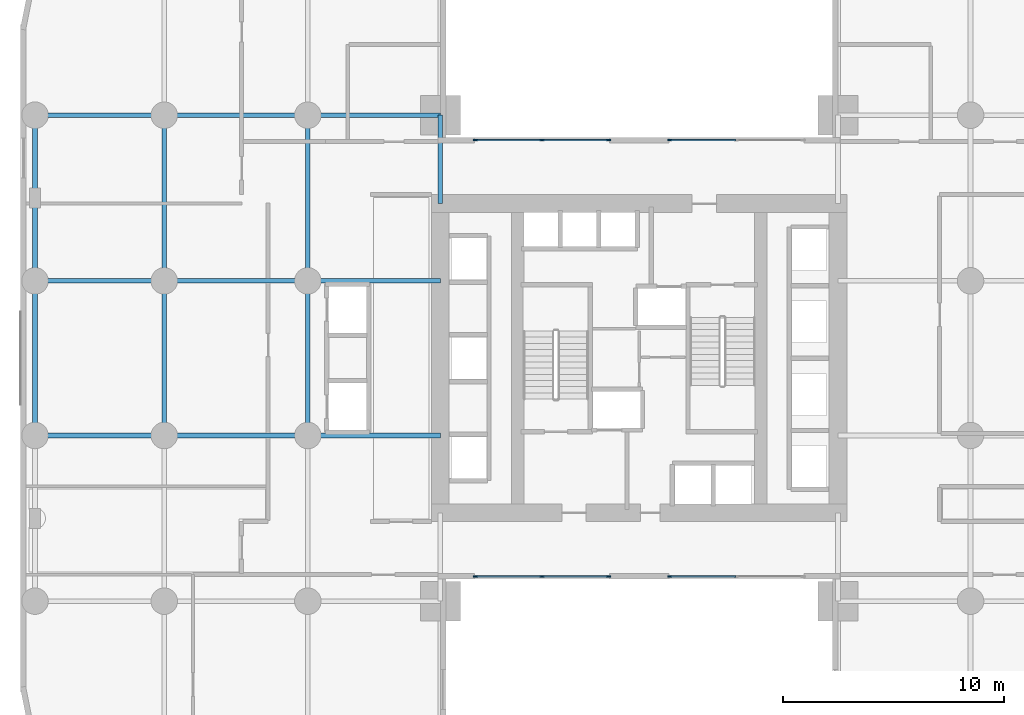
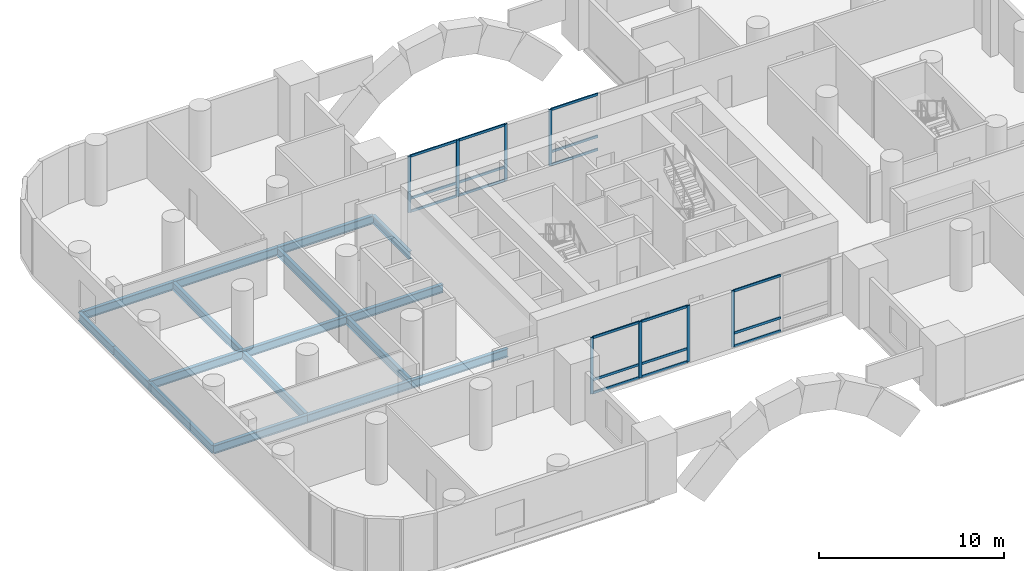
# One storey, part 2 of 9: 26 members, 17 beams, 4 elements without a shape of their own.
"""IFC4 building model written with IfcOpenShell, lengths in metres."""

import ifcopenshell
import ifcopenshell.guid

model = None  # the IFC model being written
_history = None  # IfcOwnerHistory: only IFC2X3 demands one
_inside = {}  # id of a spatial element -> (the spatial element, [elements in it])
_under = {}  # id of a project, library or spatial element -> (it, [spatial elements below it])
_declared = {}  # id of a project -> (the project, [libraries it declares])
_typed = {}  # id of a type object -> (the type object, [elements of that type])
_made_of = {}  # id of a material, layer set ... -> (it, [elements and type objects made of it])


def new_model(schema):
    """Start an empty IFC model of exactly this schema.

    Asked for "IFC4X3", IfcOpenShell would pick the latest addendum, in which some entities
    have other attributes; the version numbers below select the first issue.
    IFC2X3 requires an IfcOwnerHistory on every rooted entity: one is made here for all.
    """
    global model, _history
    if schema == "IFC4X3":
        model = ifcopenshell.file(schema_version=(4, 3, 0, 0))
    else:
        model = ifcopenshell.file(schema=schema)
    _inside.clear()
    _under.clear()
    _declared.clear()
    _typed.clear()
    _made_of.clear()
    _history = None
    if model.schema == "IFC2X3":
        org = make("IfcOrganization", Name="unknown")
        user = make(
            "IfcPersonAndOrganization",
            ThePerson=make("IfcPerson", FamilyName="unknown"),
            TheOrganization=org,
        )
        app = make(
            "IfcApplication",
            ApplicationDeveloper=org,
            Version="unknown",
            ApplicationFullName="unknown",
            ApplicationIdentifier="unknown",
        )
        _history = make(
            "IfcOwnerHistory",
            OwningUser=user,
            OwningApplication=app,
            ChangeAction="ADDED",
            CreationDate=0,
        )
    return model


def make(cls, **values):
    """One entity of the class cls with the attributes given. An attribute that is None is left unset."""
    return model.create_entity(
        cls, **{name: value for name, value in values.items() if value is not None}
    )


def rooted(cls, **values):
    """An entity with a GlobalId (a new one), such as an element, a storey or a relation."""
    return make(cls, GlobalId=ifcopenshell.guid.new(), OwnerHistory=_history, **values)


def si_unit(unit_type, name, prefix=None):
    """IfcSIUnit, for example si_unit("LENGTHUNIT", "METRE", prefix="MILLI")."""
    return make("IfcSIUnit", UnitType=unit_type, Prefix=prefix, Name=name)


def assignment(units):
    """IfcUnitAssignment: the units of a project."""
    return None if units is None else make("IfcUnitAssignment", Units=units)


def point(xyz):
    """IfcCartesianPoint."""
    return None if xyz is None else make("IfcCartesianPoint", Coordinates=xyz)


def direction(xyz):
    """IfcDirection."""
    return None if xyz is None else make("IfcDirection", DirectionRatios=xyz)


def frame(location, z_axis=None, x_axis=None):
    """IfcAxis2Placement3D, a coordinate frame: its origin and axes. An axis left out is left unset."""
    return make(
        "IfcAxis2Placement3D",
        Location=point(location),
        Axis=direction(z_axis),
        RefDirection=direction(x_axis),
    )


def frame_2d(location, x_axis=None):
    """IfcAxis2Placement2D, a coordinate frame in the plane: its origin and x axis."""
    return make(
        "IfcAxis2Placement2D", Location=point(location), RefDirection=direction(x_axis)
    )


def origin():
    """The frame at (0, 0, 0) with its axes left unset."""
    return frame((0.0, 0.0, 0.0))


def origin_2d():
    """The frame at (0, 0) in the plane with its x axis left unset."""
    return frame_2d((0.0, 0.0))


def place(relative_to, where):
    """IfcLocalPlacement: puts the frame where relative to a parent placement (None: the world)."""
    return make(
        "IfcLocalPlacement", PlacementRelTo=relative_to, RelativePlacement=where
    )


def context(
    kind, dimensions, precision=None, world=None, true_north=None, identifier=None
):
    """IfcGeometricRepresentationContext, for example the 3D "Model" context."""
    return make(
        "IfcGeometricRepresentationContext",
        ContextIdentifier=identifier,
        ContextType=kind,
        CoordinateSpaceDimension=dimensions,
        Precision=precision,
        WorldCoordinateSystem=world,
        TrueNorth=true_north,
    )


def subcontext(parent, identifier, kind, view, scale=None):
    """IfcGeometricRepresentationSubContext, for example "Body" below "Model"."""
    return make(
        "IfcGeometricRepresentationSubContext",
        ContextIdentifier=identifier,
        ContextType=kind,
        ParentContext=parent,
        TargetScale=scale,
        TargetView=view,
    )


def project(units=None, contexts=None):
    """IfcProject with its units and contexts."""
    return rooted(
        "IfcProject",
        Name="project",
        RepresentationContexts=contexts,
        UnitsInContext=assignment(units),
    )


def spatial(cls, under=None, at=None, **own):
    """A site, building, storey or space (cls), placed at a placement, below another one or the project."""
    s = rooted(cls, ObjectPlacement=at, **own)
    if under is not None:
        _under.setdefault(under.id(), (under, []))[1].append(s)
    return s


def profile(cls, at=None, kind="AREA", **sizes):
    """A parametric profile (cls). Its sizes go by their IFC names, for example OverallWidth=200.0."""
    return make(cls, ProfileType=kind, Position=at, **sizes)


def rectangle(**sizes):
    """IfcRectangleProfileDef."""
    return profile("IfcRectangleProfileDef", **sizes)


def i_section(**sizes):
    """IfcIShapeProfileDef."""
    return profile("IfcIShapeProfileDef", **sizes)


def extrude(swept, where, along, depth):
    """IfcExtrudedAreaSolid: the profile swept, set in the frame where, extruded along a direction by depth."""
    return make(
        "IfcExtrudedAreaSolid",
        SweptArea=swept,
        Position=where,
        ExtrudedDirection=direction(along),
        Depth=depth,
    )


def shape(context_of_items, identifier, shape_type, items):
    """IfcShapeRepresentation: the items that make up one representation, for example the "Body"."""
    return make(
        "IfcShapeRepresentation",
        ContextOfItems=context_of_items,
        RepresentationIdentifier=identifier,
        RepresentationType=shape_type,
        Items=items,
    )


def material(Name=None, Category=None):
    """IfcMaterial."""
    return make("IfcMaterial", Name=Name, Category=Category)


def material_profile(
    of_material, cross_section, Name=None, Category=None, Priority=None
):
    """IfcMaterialProfile: a cross section and its material."""
    return make(
        "IfcMaterialProfile",
        Name=Name,
        Material=of_material,
        Profile=cross_section,
        Priority=Priority,
        Category=Category,
    )


def profile_set(profiles, Name=None, composite=None):
    """IfcMaterialProfileSet."""
    return make(
        "IfcMaterialProfileSet",
        Name=Name,
        MaterialProfiles=profiles,
        CompositeProfile=composite,
    )


def made_of(thing, what):
    """Note that an element or type object is made of a material, layer set ...; save() writes the relation."""
    if what is not None:
        _made_of.setdefault(what.id(), (what, []))[1].append(thing)
    return thing


def type_object(cls, material=None, **own):
    """A type object (cls), such as IfcWallType, which elements share."""
    return made_of(rooted(cls, **own), material)


def element(
    cls,
    number,
    at=None,
    inside=None,
    cuts=None,
    type_object=None,
    material=None,
    context=None,
    identifier="Body",
    shape_type=None,
    held_by="IfcProductDefinitionShape",
    body=None,
    shapes=None,
    **own,
):
    """One element of the class cls, such as IfcWall. Its Tag is "e" and its number.

    at: its placement. inside: the storey or other place that contains it. cuts: it is an
    opening in that element (IfcRelVoidsElement). A single representation is given by context,
    identifier, shape_type and body (its items); several are given by shapes. held_by: the class
    of the entity that holds the representations. save() writes the other relations.
    """
    e = rooted(cls, Tag="e%d" % number, ObjectPlacement=at, **own)
    if body is not None:
        shapes = [shape(context, identifier, shape_type, body)]
    if shapes is not None:
        e.Representation = make(held_by, Representations=shapes)
    if inside is not None:
        _inside.setdefault(inside.id(), (inside, []))[1].append(e)
    if cuts is not None:
        rooted(
            "IfcRelVoidsElement", RelatingBuildingElement=cuts, RelatedOpeningElement=e
        )
    if type_object is not None:
        _typed.setdefault(type_object.id(), (type_object, []))[1].append(e)
    return made_of(e, material)


def aggregate(whole, parts):
    """IfcRelAggregates: a whole, such as a stair, and the parts it consists of."""
    return rooted("IfcRelAggregates", RelatingObject=whole, RelatedObjects=parts)


def save(model, path):
    """Write the relations noted so far, then the file.

    IfcRelAggregates (storeys below a building ...), IfcRelContainedInSpatialStructure (elements
    in a storey), IfcRelDefinesByType, IfcRelAssociatesMaterial and IfcRelDeclares: one each for
    every whole, place, type object, material and project.
    """
    for whole, parts in _under.values():
        aggregate(whole, parts)
    for where, things in _inside.values():
        rooted(
            "IfcRelContainedInSpatialStructure",
            RelatedElements=things,
            RelatingStructure=where,
        )
    for kind, things in _typed.values():
        rooted("IfcRelDefinesByType", RelatedObjects=things, RelatingType=kind)
    for what, things in _made_of.values():
        rooted("IfcRelAssociatesMaterial", RelatedObjects=things, RelatingMaterial=what)
    for by, libraries in _declared.values():
        rooted("IfcRelDeclares", RelatingContext=by, RelatedDefinitions=libraries)
    model.write(path)


model = new_model("IFC4")

# Units and contexts
model_context = context("Model", 3, precision=1e-05, world=origin(), true_north=direction((0.0, 1.0)))
body_context = subcontext(model_context, "Body", "Model", "MODEL_VIEW")
ifc_project = project(units=[si_unit("LENGTHUNIT", "METRE"), si_unit("AREAUNIT", "SQUARE_METRE"), si_unit("VOLUMEUNIT", "CUBIC_METRE"), si_unit("PLANEANGLEUNIT", "RADIAN"), si_unit("MASSUNIT", "GRAM", prefix="KILO")], contexts=[model_context])

# Site, building, storey
site_placement = place(None, origin())
site = spatial("IfcSite", under=ifc_project, at=site_placement, CompositionType="ELEMENT")
building_placement = place(site_placement, origin())
building = spatial("IfcBuilding", under=site, at=building_placement, Name="Veldorim Arch Residences", CompositionType="ELEMENT")
storey_placement = place(building_placement, frame((0.0, 0.0, 8.0)))
storey = spatial("IfcBuildingStorey", under=building, at=storey_placement, Name="L02", CompositionType="ELEMENT", Elevation=8.0)

# Curtain wall, member
ifc_material_1 = material(Name="Aluminium", Category="aluminium")
curtain_wall_type = type_object("IfcCurtainWallType", Name="Podium Clinic Double-Glazed Curtain Wall", PredefinedType="NOTDEFINED", material=ifc_material_1)
curtain_wall_1_placement = place(storey_placement, origin())
curtain_wall_1 = element("IfcCurtainWall", 1, at=curtain_wall_1_placement, inside=storey, type_object=curtain_wall_type, Name="L02 polyclinic curtain wall 11-1", PredefinedType="NOTDEFINED")
ifc_material_2 = material(Name="Aluminium", Category="aluminium")
ifc_material_profile_1 = material_profile(ifc_material_2, rectangle(XDim=0.074951171875, YDim=0.18994140625, at=origin_2d()), Name="ALU_MUL_75x190")
ifc_profile_set_1 = profile_set([ifc_material_profile_1], Name="Aluminium")
member_type_1 = type_object("IfcMemberType", Name="Podium Clinic Double-Glazed Curtain Wall Mullion 75x190", PredefinedType="MULLION", material=ifc_profile_set_1)
member_1_placement = place(storey_placement, frame((33.387451171875, 14.125, 0.0), z_axis=(0.0, 0.0, 1.0), x_axis=(0.0, -1.0, 0.0)))
member_1 = element("IfcMember", 2, at=member_1_placement, type_object=member_type_1, Name="CW-POD mullion 3", PredefinedType="MULLION", context=body_context, shape_type="SweptSolid", body=[
    extrude(rectangle(XDim=0.074951171875, YDim=0.18994140625, at=origin_2d()), origin(), (0.0, 0.0, 1.0), 3.719970703125),
])

# Curtain wall, members
curtain_wall_2_placement = place(storey_placement, origin())
curtain_wall_2 = element("IfcCurtainWall", 3, at=curtain_wall_2_placement, inside=storey, type_object=curtain_wall_type, Name="L02 polyclinic curtain wall 11-2", PredefinedType="NOTDEFINED")
member_2_placement = place(storey_placement, frame((30.612548828125, 14.125, 0.0), z_axis=(0.0, 0.0, 1.0), x_axis=(0.0, -1.0, 0.0)))
member_2 = element("IfcMember", 4, at=member_2_placement, type_object=member_type_1, Name="CW-POD mullion 1", PredefinedType="MULLION", context=body_context, shape_type="SweptSolid", body=[
    extrude(rectangle(XDim=0.074951171875, YDim=0.18994140625, at=origin_2d()), origin(), (0.0, 0.0, 1.0), 3.719970703125),
])
member_3_placement = place(storey_placement, frame((27.60009765625, 14.125, 0.0), z_axis=(0.0, 0.0, 1.0), x_axis=(0.0, -1.0, 0.0)))
member_3 = element("IfcMember", 5, at=member_3_placement, type_object=member_type_1, Name="CW-POD mullion 2", PredefinedType="MULLION", context=body_context, shape_type="SweptSolid", body=[
    extrude(rectangle(XDim=0.074951171875, YDim=0.18994140625, at=origin_2d()), origin(), (0.0, 0.0, 1.0), 3.719970703125),
])
member_4_placement = place(storey_placement, frame((24.58740234375, 14.125, 0.0), z_axis=(0.0, 0.0, 1.0), x_axis=(0.0, -1.0, 0.0)))
member_4 = element("IfcMember", 6, at=member_4_placement, type_object=member_type_1, Name="CW-POD mullion 3", PredefinedType="MULLION", context=body_context, shape_type="SweptSolid", body=[
    extrude(rectangle(XDim=0.074951171875, YDim=0.18994140625, at=origin_2d()), origin(), (0.0, 0.0, 1.0), 3.719970703125),
])

curtain_wall_3_placement = place(storey_placement, origin())
curtain_wall_3 = element("IfcCurtainWall", 7, at=curtain_wall_3_placement, inside=storey, type_object=curtain_wall_type, Name="L02 polyclinic curtain wall 25-1", PredefinedType="NOTDEFINED")
member_5_placement = place(storey_placement, frame((24.58740234375, 33.875, 0.0), z_axis=(0.0, 0.0, 1.0), x_axis=(0.0, 1.0, 0.0)))
member_5 = element("IfcMember", 8, at=member_5_placement, type_object=member_type_1, Name="CW-POD mullion 1", PredefinedType="MULLION", context=body_context, shape_type="SweptSolid", body=[
    extrude(rectangle(XDim=0.074951171875, YDim=0.18994140625, at=origin_2d()), origin(), (0.0, 0.0, 1.0), 3.719970703125),
])
member_6_placement = place(storey_placement, frame((27.60009765625, 33.875, 0.0), z_axis=(0.0, 0.0, 1.0), x_axis=(0.0, 1.0, 0.0)))
member_6 = element("IfcMember", 9, at=member_6_placement, type_object=member_type_1, Name="CW-POD mullion 2", PredefinedType="MULLION", context=body_context, shape_type="SweptSolid", body=[
    extrude(rectangle(XDim=0.074951171875, YDim=0.18994140625, at=origin_2d()), origin(), (0.0, 0.0, 1.0), 3.719970703125),
])
member_7_placement = place(storey_placement, frame((30.612548828125, 33.875, 0.0), z_axis=(0.0, 0.0, 1.0), x_axis=(0.0, 1.0, 0.0)))
member_7 = element("IfcMember", 10, at=member_7_placement, type_object=member_type_1, Name="CW-POD mullion 3", PredefinedType="MULLION", context=body_context, shape_type="SweptSolid", body=[
    extrude(rectangle(XDim=0.074951171875, YDim=0.18994140625, at=origin_2d()), origin(), (0.0, 0.0, 1.0), 3.719970703125),
])

# Curtain wall, member
curtain_wall_4_placement = place(storey_placement, origin())
curtain_wall_4 = element("IfcCurtainWall", 11, at=curtain_wall_4_placement, inside=storey, type_object=curtain_wall_type, Name="L02 polyclinic curtain wall 25-2", PredefinedType="NOTDEFINED")
member_8_placement = place(storey_placement, frame((33.387451171875, 33.875, 0.0), z_axis=(0.0, 0.0, 1.0), x_axis=(0.0, 1.0, 0.0)))
member_8 = element("IfcMember", 12, at=member_8_placement, type_object=member_type_1, Name="CW-POD mullion 1", PredefinedType="MULLION", context=body_context, shape_type="SweptSolid", body=[
    extrude(rectangle(XDim=0.074951171875, YDim=0.18994140625, at=origin_2d()), origin(), (0.0, 0.0, 1.0), 3.719970703125),
])

# Member
ifc_material_3 = material(Name="Aluminium", Category="aluminium")
ifc_material_profile_2 = material_profile(ifc_material_3, rectangle(XDim=0.074951171875, YDim=0.159912109375, at=origin_2d()), Name="ALU_TRN_75x160")
ifc_profile_set_2 = profile_set([ifc_material_profile_2], Name="Aluminium")
member_type_2 = type_object("IfcMemberType", Name="Podium Clinic Double-Glazed Curtain Wall Transom 75x160", PredefinedType="USERDEFINED", material=ifc_profile_set_2)
member_9_placement = place(storey_placement, frame((36.362548828125, 14.125, 0.03759765625), z_axis=(-1.0, 0.0, 0.0), x_axis=(0.0, -1.0, 0.0)))
member_9 = element("IfcMember", 13, at=member_9_placement, type_object=member_type_2, Name="CW-POD transom 2.1", ObjectType="TRANSOM", PredefinedType="USERDEFINED", context=body_context, shape_type="SweptSolid", body=[
    extrude(rectangle(XDim=0.074951171875, YDim=0.159912109375, at=origin_2d()), origin(), (0.0, 0.0, 1.0), 2.9375),
])

member_10_placement = place(storey_placement, frame((36.362548828125, 14.125, 0.89990234375), z_axis=(-1.0, 0.0, 0.0), x_axis=(0.0, -1.0, 0.0)))
member_10 = element("IfcMember", 14, at=member_10_placement, type_object=member_type_2, Name="CW-POD transom 2.2", ObjectType="TRANSOM", PredefinedType="USERDEFINED", context=body_context, shape_type="SweptSolid", body=[
    extrude(rectangle(XDim=0.074951171875, YDim=0.159912109375, at=origin_2d()), origin(), (0.0, 0.0, 1.0), 2.9375),
])

member_11_placement = place(storey_placement, frame((36.362548828125, 14.125, 3.6826171875), z_axis=(-1.0, 0.0, 0.0), x_axis=(0.0, -1.0, 0.0)))
member_11 = element("IfcMember", 15, at=member_11_placement, type_object=member_type_2, Name="CW-POD transom 2.3", ObjectType="TRANSOM", PredefinedType="USERDEFINED", context=body_context, shape_type="SweptSolid", body=[
    extrude(rectangle(XDim=0.074951171875, YDim=0.159912109375, at=origin_2d()), origin(), (0.0, 0.0, 1.0), 2.9375),
])

aggregate(curtain_wall_1, [member_1, member_9, member_10, member_11])

member_12_placement = place(storey_placement, frame((30.574951171875, 14.125, 0.03759765625), z_axis=(-1.0, 0.0, 0.0), x_axis=(0.0, -1.0, 0.0)))
member_12 = element("IfcMember", 16, at=member_12_placement, type_object=member_type_2, Name="CW-POD transom 1.1", ObjectType="TRANSOM", PredefinedType="USERDEFINED", context=body_context, shape_type="SweptSolid", body=[
    extrude(rectangle(XDim=0.074951171875, YDim=0.159912109375, at=origin_2d()), origin(), (0.0, 0.0, 1.0), 2.9375),
])

member_13_placement = place(storey_placement, frame((30.574951171875, 14.125, 0.89990234375), z_axis=(-1.0, 0.0, 0.0), x_axis=(0.0, -1.0, 0.0)))
member_13 = element("IfcMember", 17, at=member_13_placement, type_object=member_type_2, Name="CW-POD transom 1.2", ObjectType="TRANSOM", PredefinedType="USERDEFINED", context=body_context, shape_type="SweptSolid", body=[
    extrude(rectangle(XDim=0.074951171875, YDim=0.159912109375, at=origin_2d()), origin(), (0.0, 0.0, 1.0), 2.9375),
])

member_14_placement = place(storey_placement, frame((30.574951171875, 14.125, 3.6826171875), z_axis=(-1.0, 0.0, 0.0), x_axis=(0.0, -1.0, 0.0)))
member_14 = element("IfcMember", 18, at=member_14_placement, type_object=member_type_2, Name="CW-POD transom 1.3", ObjectType="TRANSOM", PredefinedType="USERDEFINED", context=body_context, shape_type="SweptSolid", body=[
    extrude(rectangle(XDim=0.074951171875, YDim=0.159912109375, at=origin_2d()), origin(), (0.0, 0.0, 1.0), 2.9375),
])

member_15_placement = place(storey_placement, frame((27.5625, 14.125, 0.03759765625), z_axis=(-1.0, 0.0, 0.0), x_axis=(0.0, -1.0, 0.0)))
member_15 = element("IfcMember", 19, at=member_15_placement, type_object=member_type_2, Name="CW-POD transom 2.1", ObjectType="TRANSOM", PredefinedType="USERDEFINED", context=body_context, shape_type="SweptSolid", body=[
    extrude(rectangle(XDim=0.074951171875, YDim=0.159912109375, at=origin_2d()), origin(), (0.0, 0.0, 1.0), 2.9375),
])

member_16_placement = place(storey_placement, frame((27.5625, 14.125, 0.89990234375), z_axis=(-1.0, 0.0, 0.0), x_axis=(0.0, -1.0, 0.0)))
member_16 = element("IfcMember", 20, at=member_16_placement, type_object=member_type_2, Name="CW-POD transom 2.2", ObjectType="TRANSOM", PredefinedType="USERDEFINED", context=body_context, shape_type="SweptSolid", body=[
    extrude(rectangle(XDim=0.074951171875, YDim=0.159912109375, at=origin_2d()), origin(), (0.0, 0.0, 1.0), 2.9375),
])

member_17_placement = place(storey_placement, frame((27.5625, 14.125, 3.6826171875), z_axis=(-1.0, 0.0, 0.0), x_axis=(0.0, -1.0, 0.0)))
member_17 = element("IfcMember", 21, at=member_17_placement, type_object=member_type_2, Name="CW-POD transom 2.3", ObjectType="TRANSOM", PredefinedType="USERDEFINED", context=body_context, shape_type="SweptSolid", body=[
    extrude(rectangle(XDim=0.074951171875, YDim=0.159912109375, at=origin_2d()), origin(), (0.0, 0.0, 1.0), 2.9375),
])

aggregate(curtain_wall_2, [member_2, member_3, member_4, member_12, member_13, member_14, member_15, member_16, member_17])

member_18_placement = place(storey_placement, frame((24.625, 33.875, 0.03759765625), z_axis=(1.0, 0.0, 0.0), x_axis=(0.0, 1.0, 0.0)))
member_18 = element("IfcMember", 22, at=member_18_placement, type_object=member_type_2, Name="CW-POD transom 1.1", ObjectType="TRANSOM", PredefinedType="USERDEFINED", context=body_context, shape_type="SweptSolid", body=[
    extrude(rectangle(XDim=0.074951171875, YDim=0.159912109375, at=origin_2d()), origin(), (0.0, 0.0, 1.0), 2.9375),
])

member_19_placement = place(storey_placement, frame((24.625, 33.875, 0.89990234375), z_axis=(1.0, 0.0, 0.0), x_axis=(0.0, 1.0, 0.0)))
member_19 = element("IfcMember", 23, at=member_19_placement, type_object=member_type_2, Name="CW-POD transom 1.2", ObjectType="TRANSOM", PredefinedType="USERDEFINED", context=body_context, shape_type="SweptSolid", body=[
    extrude(rectangle(XDim=0.074951171875, YDim=0.159912109375, at=origin_2d()), origin(), (0.0, 0.0, 1.0), 2.9375),
])

member_20_placement = place(storey_placement, frame((24.625, 33.875, 3.6826171875), z_axis=(1.0, 0.0, 0.0), x_axis=(0.0, 1.0, 0.0)))
member_20 = element("IfcMember", 24, at=member_20_placement, type_object=member_type_2, Name="CW-POD transom 1.3", ObjectType="TRANSOM", PredefinedType="USERDEFINED", context=body_context, shape_type="SweptSolid", body=[
    extrude(rectangle(XDim=0.074951171875, YDim=0.159912109375, at=origin_2d()), origin(), (0.0, 0.0, 1.0), 2.9375),
])

member_21_placement = place(storey_placement, frame((27.637451171875, 33.875, 0.03759765625), z_axis=(1.0, 0.0, 0.0), x_axis=(0.0, 1.0, 0.0)))
member_21 = element("IfcMember", 25, at=member_21_placement, type_object=member_type_2, Name="CW-POD transom 2.1", ObjectType="TRANSOM", PredefinedType="USERDEFINED", context=body_context, shape_type="SweptSolid", body=[
    extrude(rectangle(XDim=0.074951171875, YDim=0.159912109375, at=origin_2d()), origin(), (0.0, 0.0, 1.0), 2.9375),
])

member_22_placement = place(storey_placement, frame((27.637451171875, 33.875, 0.89990234375), z_axis=(1.0, 0.0, 0.0), x_axis=(0.0, 1.0, 0.0)))
member_22 = element("IfcMember", 26, at=member_22_placement, type_object=member_type_2, Name="CW-POD transom 2.2", ObjectType="TRANSOM", PredefinedType="USERDEFINED", context=body_context, shape_type="SweptSolid", body=[
    extrude(rectangle(XDim=0.074951171875, YDim=0.159912109375, at=origin_2d()), origin(), (0.0, 0.0, 1.0), 2.9375),
])

member_23_placement = place(storey_placement, frame((27.637451171875, 33.875, 3.6826171875), z_axis=(1.0, 0.0, 0.0), x_axis=(0.0, 1.0, 0.0)))
member_23 = element("IfcMember", 27, at=member_23_placement, type_object=member_type_2, Name="CW-POD transom 2.3", ObjectType="TRANSOM", PredefinedType="USERDEFINED", context=body_context, shape_type="SweptSolid", body=[
    extrude(rectangle(XDim=0.074951171875, YDim=0.159912109375, at=origin_2d()), origin(), (0.0, 0.0, 1.0), 2.9375),
])

aggregate(curtain_wall_3, [member_5, member_6, member_7, member_18, member_19, member_20, member_21, member_22, member_23])

member_24_placement = place(storey_placement, frame((33.425048828125, 33.875, 0.03759765625), z_axis=(1.0, 0.0, 0.0), x_axis=(0.0, 1.0, 0.0)))
member_24 = element("IfcMember", 28, at=member_24_placement, type_object=member_type_2, Name="CW-POD transom 1.1", ObjectType="TRANSOM", PredefinedType="USERDEFINED", context=body_context, shape_type="SweptSolid", body=[
    extrude(rectangle(XDim=0.074951171875, YDim=0.159912109375, at=origin_2d()), origin(), (0.0, 0.0, 1.0), 2.9375),
])

member_25_placement = place(storey_placement, frame((33.425048828125, 33.875, 0.89990234375), z_axis=(1.0, 0.0, 0.0), x_axis=(0.0, 1.0, 0.0)))
member_25 = element("IfcMember", 29, at=member_25_placement, type_object=member_type_2, Name="CW-POD transom 1.2", ObjectType="TRANSOM", PredefinedType="USERDEFINED", context=body_context, shape_type="SweptSolid", body=[
    extrude(rectangle(XDim=0.074951171875, YDim=0.159912109375, at=origin_2d()), origin(), (0.0, 0.0, 1.0), 2.9375),
])

member_26_placement = place(storey_placement, frame((33.425048828125, 33.875, 3.6826171875), z_axis=(1.0, 0.0, 0.0), x_axis=(0.0, 1.0, 0.0)))
member_26 = element("IfcMember", 30, at=member_26_placement, type_object=member_type_2, Name="CW-POD transom 1.3", ObjectType="TRANSOM", PredefinedType="USERDEFINED", context=body_context, shape_type="SweptSolid", body=[
    extrude(rectangle(XDim=0.074951171875, YDim=0.159912109375, at=origin_2d()), origin(), (0.0, 0.0, 1.0), 2.9375),
])

aggregate(curtain_wall_4, [member_8, member_24, member_25, member_26])

# Beams
ifc_material_4 = material(Name="Steel S355", Category="steel")
ifc_material_profile_3 = material_profile(ifc_material_4, i_section(OverallWidth=0.2099609375, OverallDepth=0.53662109375, WebThickness=0.0107421875, FlangeThickness=0.017333984375, at=origin_2d()), Name="UB533x210x101")
ifc_profile_set_3 = profile_set([ifc_material_profile_3], Name="Steel S355")
beam_type_1 = type_object("IfcBeamType", Name="Structural Steel Beam UB533x210x101", PredefinedType="BEAM", material=ifc_profile_set_3)
beam_1_placement = place(storey_placement, frame((4.64990234375, 20.5, -0.54833984375), z_axis=(0.0, 1.0, 0.0), x_axis=(-1.0, 0.0, 0.0)))
element("IfcBeam", 31, at=beam_1_placement, inside=storey, type_object=beam_type_1, Name="L02 north-south floor beam (X=4.7, 20.5-27.5)", PredefinedType="BEAM", context=body_context, shape_type="SweptSolid", body=[
    extrude(i_section(OverallWidth=0.2099609375, OverallDepth=0.53662109375, WebThickness=0.0107421875, FlangeThickness=0.017333984375, at=origin_2d()), origin(), (0.0, 0.0, 1.0), 7.0),
])
for number, where, z_axis, x_axis, name in (
    (32, (4.64990234375, 27.5, -0.54833984375), (0.0, 1.0, 0.0), (-1.0, 0.0, 0.0), "L02 north-south floor beam (X=4.7, 27.5-31.2)"),
    (33, (4.64990234375, 31.25, -0.54833984375), (0.0, 1.0, 0.0), (-1.0, 0.0, 0.0), "L02 north-south floor beam (X=4.7, 31.2-35.0)"),
):
    element("IfcBeam", number, at=place(storey_placement, frame(where, z_axis=z_axis, x_axis=x_axis)), inside=storey, type_object=beam_type_1, Name=name, PredefinedType="BEAM", context=body_context, shape_type="SweptSolid", body=[
        extrude(i_section(OverallWidth=0.2099609375, OverallDepth=0.53662109375, WebThickness=0.0107421875, FlangeThickness=0.017333984375, at=origin_2d()), origin(), (0.0, 0.0, 1.0), 3.75),
    ])
beam_2_placement = place(storey_placement, frame((10.5, 20.5, -0.54833984375), z_axis=(0.0, 1.0, 0.0), x_axis=(-1.0, 0.0, 0.0)))
element("IfcBeam", 34, at=beam_2_placement, inside=storey, type_object=beam_type_1, Name="L02 north-south floor beam (X=10.5, 20.5-27.5)", PredefinedType="BEAM", context=body_context, shape_type="SweptSolid", body=[
    extrude(i_section(OverallWidth=0.2099609375, OverallDepth=0.53662109375, WebThickness=0.0107421875, FlangeThickness=0.017333984375, at=origin_2d()), origin(), (0.0, 0.0, 1.0), 7.0),
])
beam_3_placement = place(storey_placement, frame((10.5, 27.5, -0.54833984375), z_axis=(0.0, 1.0, 0.0), x_axis=(-1.0, 0.0, 0.0)))
element("IfcBeam", 35, at=beam_3_placement, inside=storey, type_object=beam_type_1, Name="L02 north-south floor beam (X=10.5, 27.5-35.0)", PredefinedType="BEAM", context=body_context, shape_type="SweptSolid", body=[
    extrude(i_section(OverallWidth=0.2099609375, OverallDepth=0.53662109375, WebThickness=0.0107421875, FlangeThickness=0.017333984375, at=origin_2d()), origin(), (0.0, 0.0, 1.0), 7.5),
])
beam_4_placement = place(storey_placement, frame((17.0, 20.5, -0.54833984375), z_axis=(0.0, 1.0, 0.0), x_axis=(-1.0, 0.0, 0.0)))
element("IfcBeam", 36, at=beam_4_placement, inside=storey, type_object=beam_type_1, Name="L02 north-south floor beam (X=17.0, 20.5-27.5)", PredefinedType="BEAM", context=body_context, shape_type="SweptSolid", body=[
    extrude(i_section(OverallWidth=0.2099609375, OverallDepth=0.53662109375, WebThickness=0.0107421875, FlangeThickness=0.017333984375, at=origin_2d()), origin(), (0.0, 0.0, 1.0), 7.0),
])
beam_5_placement = place(storey_placement, frame((17.0, 27.5, -0.54833984375), z_axis=(0.0, 1.0, 0.0), x_axis=(-1.0, 0.0, 0.0)))
element("IfcBeam", 37, at=beam_5_placement, inside=storey, type_object=beam_type_1, Name="L02 north-south floor beam (X=17.0, 27.5-35.0)", PredefinedType="BEAM", context=body_context, shape_type="SweptSolid", body=[
    extrude(i_section(OverallWidth=0.2099609375, OverallDepth=0.53662109375, WebThickness=0.0107421875, FlangeThickness=0.017333984375, at=origin_2d()), origin(), (0.0, 0.0, 1.0), 7.5),
])
beam_6_placement = place(storey_placement, frame((23.0, 31.0, -0.54833984375), z_axis=(0.0, 1.0, 0.0), x_axis=(-1.0, 0.0, 0.0)))
element("IfcBeam", 38, at=beam_6_placement, inside=storey, type_object=beam_type_1, Name="L02 north-south floor beam (X=23.0, 31.0-35.0)", PredefinedType="BEAM", context=body_context, shape_type="SweptSolid", body=[
    extrude(i_section(OverallWidth=0.2099609375, OverallDepth=0.53662109375, WebThickness=0.0107421875, FlangeThickness=0.017333984375, at=origin_2d()), origin(), (0.0, 0.0, 1.0), 4.0),
])
ifc_material_5 = material(Name="Steel S355", Category="steel")
ifc_material_profile_4 = material_profile(ifc_material_5, i_section(OverallWidth=0.2119140625, OverallDepth=0.54443359375, WebThickness=0.0126953125, FlangeThickness=0.021240234375, at=origin_2d()), Name="UB533x210x122")
ifc_profile_set_4 = profile_set([ifc_material_profile_4], Name="Steel S355")
beam_type_2 = type_object("IfcBeamType", Name="Structural Steel Beam UB533x210x122", PredefinedType="BEAM", material=ifc_profile_set_4)
beam_7_placement = place(storey_placement, frame((4.64990234375, 20.5, -0.55224609375), z_axis=(1.0, 0.0, 0.0), x_axis=(0.0, 1.0, 0.0)))
element("IfcBeam", 39, at=beam_7_placement, inside=storey, type_object=beam_type_2, Name="L02 east-west floor beam (4.7-10.5, Y=20.5)", PredefinedType="BEAM", context=body_context, shape_type="SweptSolid", body=[
    extrude(i_section(OverallWidth=0.2119140625, OverallDepth=0.54443359375, WebThickness=0.0126953125, FlangeThickness=0.021240234375, at=origin_2d()), origin(), (0.0, 0.0, 1.0), 5.85009765625),
])
beam_8_placement = place(storey_placement, frame((10.5, 20.5, -0.55224609375), z_axis=(1.0, 0.0, 0.0), x_axis=(0.0, 1.0, 0.0)))
element("IfcBeam", 40, at=beam_8_placement, inside=storey, type_object=beam_type_2, Name="L02 east-west floor beam (10.5-17.0, Y=20.5)", PredefinedType="BEAM", context=body_context, shape_type="SweptSolid", body=[
    extrude(i_section(OverallWidth=0.2119140625, OverallDepth=0.54443359375, WebThickness=0.0126953125, FlangeThickness=0.021240234375, at=origin_2d()), origin(), (0.0, 0.0, 1.0), 6.5),
])
beam_9_placement = place(storey_placement, frame((17.0, 20.5, -0.55224609375), z_axis=(1.0, 0.0, 0.0), x_axis=(0.0, 1.0, 0.0)))
element("IfcBeam", 41, at=beam_9_placement, inside=storey, type_object=beam_type_2, Name="L02 east-west floor beam (17.0-23.0, Y=20.5)", PredefinedType="BEAM", context=body_context, shape_type="SweptSolid", body=[
    extrude(i_section(OverallWidth=0.2119140625, OverallDepth=0.54443359375, WebThickness=0.0126953125, FlangeThickness=0.021240234375, at=origin_2d()), origin(), (0.0, 0.0, 1.0), 6.0),
])
beam_10_placement = place(storey_placement, frame((4.64990234375, 27.5, -0.55224609375), z_axis=(1.0, 0.0, 0.0), x_axis=(0.0, 1.0, 0.0)))
element("IfcBeam", 42, at=beam_10_placement, inside=storey, type_object=beam_type_2, Name="L02 east-west floor beam (4.7-10.5, Y=27.5)", PredefinedType="BEAM", context=body_context, shape_type="SweptSolid", body=[
    extrude(i_section(OverallWidth=0.2119140625, OverallDepth=0.54443359375, WebThickness=0.0126953125, FlangeThickness=0.021240234375, at=origin_2d()), origin(), (0.0, 0.0, 1.0), 5.85009765625),
])
beam_11_placement = place(storey_placement, frame((10.5, 27.5, -0.55224609375), z_axis=(1.0, 0.0, 0.0), x_axis=(0.0, 1.0, 0.0)))
element("IfcBeam", 43, at=beam_11_placement, inside=storey, type_object=beam_type_2, Name="L02 east-west floor beam (10.5-17.0, Y=27.5)", PredefinedType="BEAM", context=body_context, shape_type="SweptSolid", body=[
    extrude(i_section(OverallWidth=0.2119140625, OverallDepth=0.54443359375, WebThickness=0.0126953125, FlangeThickness=0.021240234375, at=origin_2d()), origin(), (0.0, 0.0, 1.0), 6.5),
])
beam_12_placement = place(storey_placement, frame((17.0, 27.5, -0.55224609375), z_axis=(1.0, 0.0, 0.0), x_axis=(0.0, 1.0, 0.0)))
element("IfcBeam", 44, at=beam_12_placement, inside=storey, type_object=beam_type_2, Name="L02 east-west floor beam (17.0-23.0, Y=27.5)", PredefinedType="BEAM", context=body_context, shape_type="SweptSolid", body=[
    extrude(i_section(OverallWidth=0.2119140625, OverallDepth=0.54443359375, WebThickness=0.0126953125, FlangeThickness=0.021240234375, at=origin_2d()), origin(), (0.0, 0.0, 1.0), 6.0),
])
beam_13_placement = place(storey_placement, frame((4.64990234375, 35.0, -0.55224609375), z_axis=(1.0, 0.0, 0.0), x_axis=(0.0, 1.0, 0.0)))
element("IfcBeam", 45, at=beam_13_placement, inside=storey, type_object=beam_type_2, Name="L02 east-west floor beam (4.7-10.5, Y=35.0)", PredefinedType="BEAM", context=body_context, shape_type="SweptSolid", body=[
    extrude(i_section(OverallWidth=0.2119140625, OverallDepth=0.54443359375, WebThickness=0.0126953125, FlangeThickness=0.021240234375, at=origin_2d()), origin(), (0.0, 0.0, 1.0), 5.85009765625),
])
beam_14_placement = place(storey_placement, frame((10.5, 35.0, -0.55224609375), z_axis=(1.0, 0.0, 0.0), x_axis=(0.0, 1.0, 0.0)))
element("IfcBeam", 46, at=beam_14_placement, inside=storey, type_object=beam_type_2, Name="L02 east-west floor beam (10.5-17.0, Y=35.0)", PredefinedType="BEAM", context=body_context, shape_type="SweptSolid", body=[
    extrude(i_section(OverallWidth=0.2119140625, OverallDepth=0.54443359375, WebThickness=0.0126953125, FlangeThickness=0.021240234375, at=origin_2d()), origin(), (0.0, 0.0, 1.0), 6.5),
])
beam_15_placement = place(storey_placement, frame((17.0, 35.0, -0.55224609375), z_axis=(1.0, 0.0, 0.0), x_axis=(0.0, 1.0, 0.0)))
element("IfcBeam", 47, at=beam_15_placement, inside=storey, type_object=beam_type_2, Name="L02 east-west floor beam (17.0-23.0, Y=35.0)", PredefinedType="BEAM", context=body_context, shape_type="SweptSolid", body=[
    extrude(i_section(OverallWidth=0.2119140625, OverallDepth=0.54443359375, WebThickness=0.0126953125, FlangeThickness=0.021240234375, at=origin_2d()), origin(), (0.0, 0.0, 1.0), 6.0),
])

save(model, "model.ifc")
